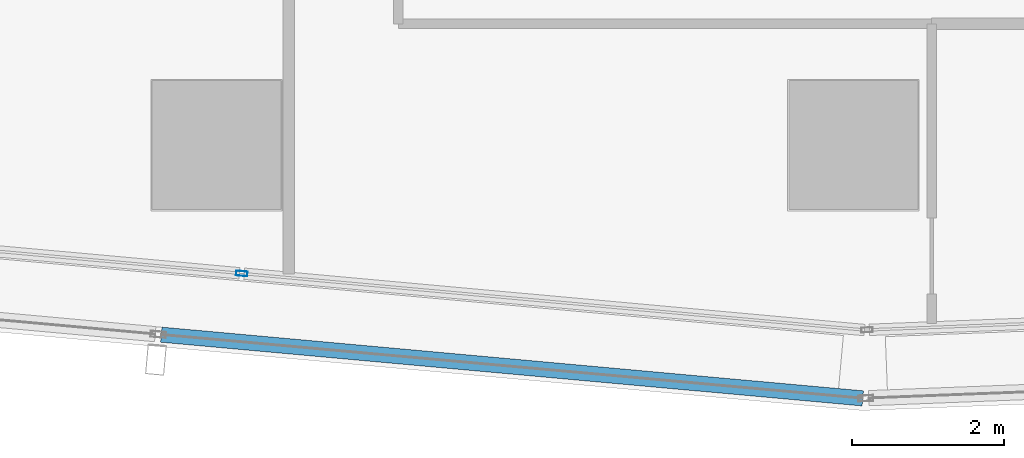
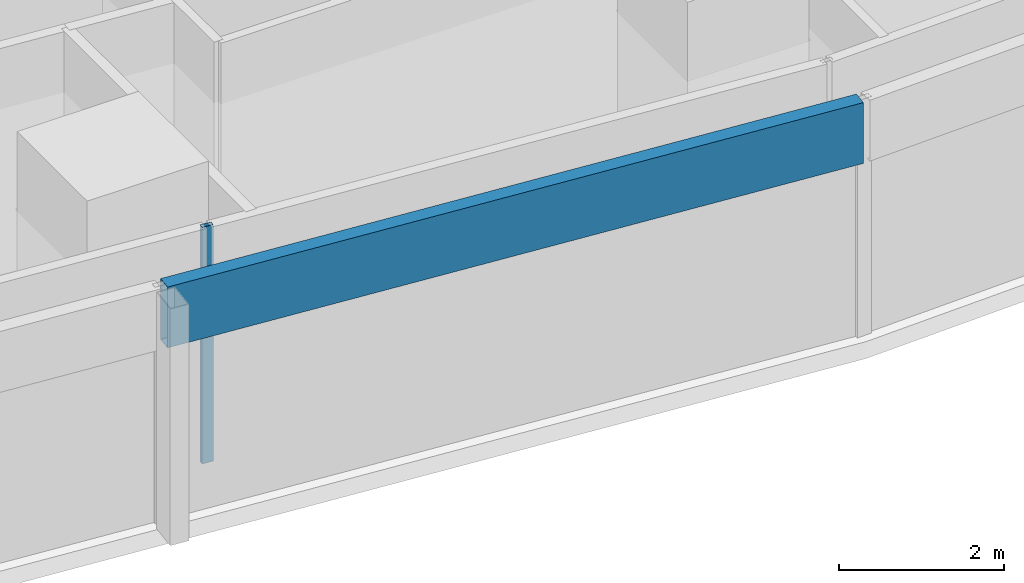
# One storey, part 3 of 40: 2 members, 2 elements without a shape of their own.
"""IFC4 building model written with IfcOpenShell, lengths in metres."""

from ifc_helpers import new_model, si_unit, direction, frame, origin, origin_2d, place, context, subcontext, project, spatial, hollow_rectangle, extrude, material, material_profile, profile_set, type_object, element, aggregate, save


model = new_model("IFC4")

# Units and contexts
model_context = context("Model", 3, precision=1e-05, world=origin(), true_north=direction((0.0, 1.0)))
body_context = subcontext(model_context, "Body", "Model", "MODEL_VIEW")
ifc_project = project(units=[si_unit("LENGTHUNIT", "METRE"), si_unit("AREAUNIT", "SQUARE_METRE"), si_unit("VOLUMEUNIT", "CUBIC_METRE"), si_unit("PLANEANGLEUNIT", "RADIAN"), si_unit("MASSUNIT", "GRAM", prefix="KILO")], contexts=[model_context])

# Site, building, storey
site_placement = place(None, origin())
site = spatial("IfcSite", under=ifc_project, at=site_placement, CompositionType="ELEMENT")
building_placement = place(site_placement, origin())
building = spatial("IfcBuilding", under=site, at=building_placement, Name="Rekha Terrace Tower", CompositionType="ELEMENT")
storey_placement = place(building_placement, frame((0.0, 0.0, 110.300048828125)))
storey = spatial("IfcBuildingStorey", under=building, at=storey_placement, Name="L27", CompositionType="ELEMENT", Elevation=110.300048828125)

# Curtain wall, member
ifc_material_1 = material(Name="Aluminium framing", Category="aluminium")
curtain_wall_type_1 = type_object("IfcCurtainWallType", Name="CW1 double skin inner glazing", PredefinedType="USERDEFINED", material=ifc_material_1)
curtain_wall_1_placement = place(storey_placement, origin())
curtain_wall_1 = element("IfcCurtainWall", 1, at=curtain_wall_1_placement, inside=storey, type_object=curtain_wall_type_1, Name="CW1 double skin inner glazing", ObjectType="DOUBLE SKIN INNER GLAZING", PredefinedType="USERDEFINED")
ifc_material_2 = material(Name="Aluminium mullion section", Category="aluminium")
ifc_material_profile_1 = material_profile(ifc_material_2, hollow_rectangle(XDim=0.06494140625, YDim=0.14990234375, WallThickness=0.00390625, at=origin_2d()), Name="AL RHS 65x150")
ifc_profile_set_1 = profile_set([ifc_material_profile_1], Name="Aluminium mullion section")
member_type_1 = type_object("IfcMemberType", Name="CW1 mullion RHS 65 x 150", PredefinedType="MULLION", material=ifc_profile_set_1)
member_1_placement = place(storey_placement, frame((17.13427734375, 15.107666015625, 0.0), z_axis=(0.0, 0.0, 1.0), x_axis=(0.090439811381, 0.995901923142, 0.0)))
member_1 = element("IfcMember", 2, at=member_1_placement, type_object=member_type_1, Name="CW1 mullion 2", PredefinedType="MULLION", context=body_context, shape_type="SweptSolid", body=[
    extrude(hollow_rectangle(XDim=0.06494140625, YDim=0.14990234375, WallThickness=0.00390625, at=origin_2d()), origin(), (0.0, 0.0, 1.0), 3.5),
])
aggregate(curtain_wall_1, [member_1])

curtain_wall_type_2 = type_object("IfcCurtainWallType", Name="CW2 double skin outer glazing", PredefinedType="USERDEFINED", material=ifc_material_1)
curtain_wall_2_placement = place(storey_placement, origin())
curtain_wall_2 = element("IfcCurtainWall", 3, at=curtain_wall_2_placement, inside=storey, type_object=curtain_wall_type_2, Name="CW2 double skin outer glazing", ObjectType="DOUBLE SKIN OUTER GLAZING", PredefinedType="USERDEFINED")
ifc_material_3 = material(Name="Insulated aluminium spandrel box", Category="aluminium")
ifc_material_profile_2 = material_profile(ifc_material_3, hollow_rectangle(XDim=0.199951171875, YDim=0.89990234375, WallThickness=0.0029296875, at=origin_2d()), Name="AL SPANDREL BOX 200x900")
ifc_profile_set_2 = profile_set([ifc_material_profile_2], Name="Insulated aluminium spandrel box")
member_type_2 = type_object("IfcMemberType", Name="CW2 spandrel transom 200 x 900", PredefinedType="USERDEFINED", material=ifc_profile_set_2)
member_2_placement = place(storey_placement, frame((16.072265625, 14.300537109375, 3.050048828125), z_axis=(0.995900527097, -0.090455182982, 0.0), x_axis=(0.090455182982, 0.995900527097, 0.0)))
member_2 = element("IfcMember", 4, at=member_2_placement, type_object=member_type_2, Name="CW2 spandrel transom 2", ObjectType="TRANSOM", PredefinedType="USERDEFINED", context=body_context, shape_type="SweptSolid", body=[
    extrude(hollow_rectangle(XDim=0.199951171875, YDim=0.89990234375, WallThickness=0.0029296875, at=origin_2d()), origin(), (0.0, 0.0, 1.0), 9.2900390625),
])
aggregate(curtain_wall_2, [member_2])

save(model, "model.ifc")
